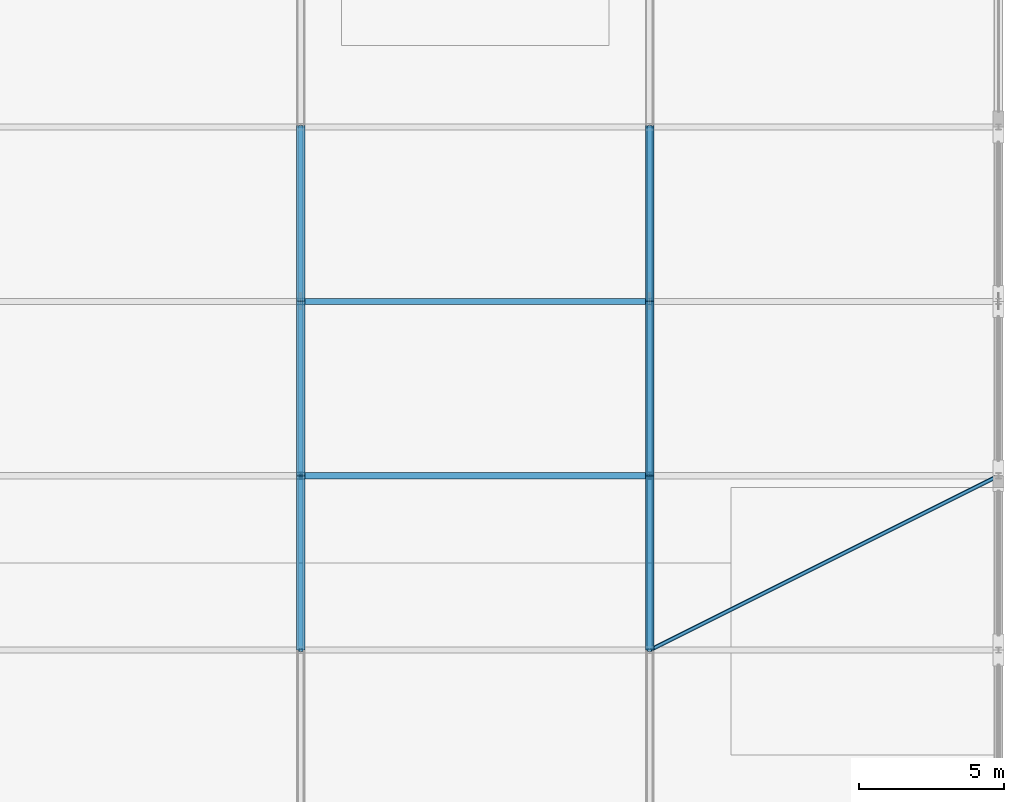
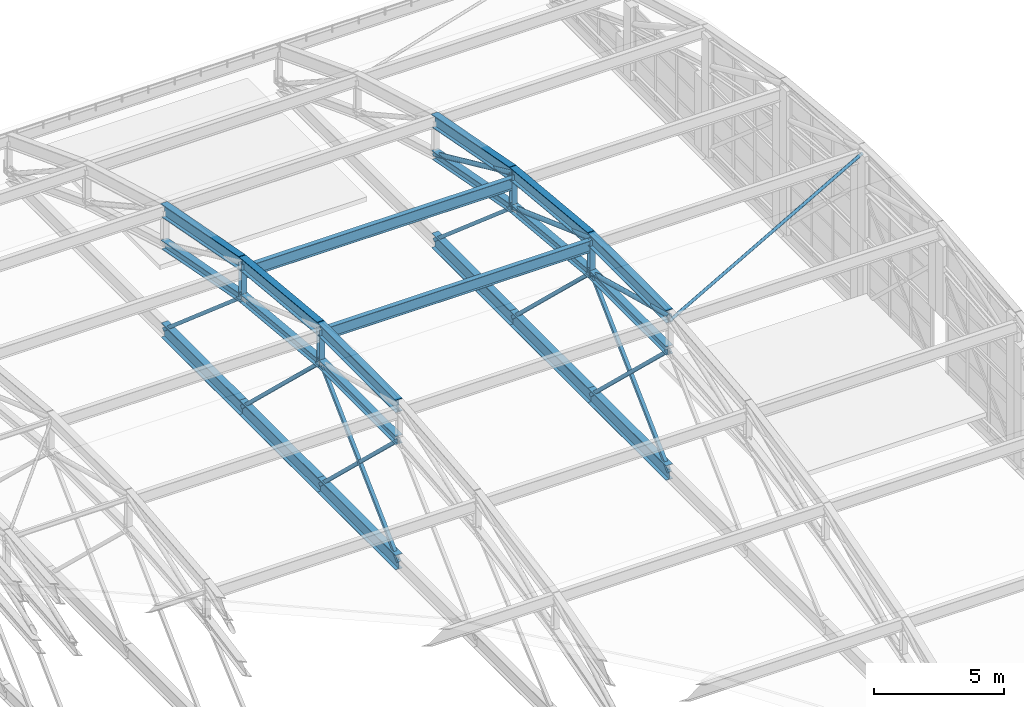
# One storey, part 135 of 204: 36 members.
"""IFC4 building model written with IfcOpenShell, lengths in metres."""

from ifc_helpers import new_model, si_unit, direction, frame, origin, origin_2d, place, context, subcontext, project, spatial, hollow_rectangle, hollow_circle, i_section, extrude, material, material_profile, profile_set, type_object, element, save


model = new_model("IFC4")

# Units and contexts
model_context = context("Model", 3, precision=1e-05, world=origin(), true_north=direction((0.0, 1.0)))
body_context = subcontext(model_context, "Body", "Model", "MODEL_VIEW")
ifc_project = project(units=[si_unit("LENGTHUNIT", "METRE"), si_unit("AREAUNIT", "SQUARE_METRE"), si_unit("VOLUMEUNIT", "CUBIC_METRE"), si_unit("PLANEANGLEUNIT", "RADIAN"), si_unit("MASSUNIT", "GRAM", prefix="KILO")], contexts=[model_context])

# Site, building, storey
site_placement = place(None, origin())
site = spatial("IfcSite", under=ifc_project, at=site_placement, CompositionType="ELEMENT")
building_placement = place(site_placement, origin())
building = spatial("IfcBuilding", under=site, at=building_placement, Name="Zilviju Railside Exhibition Hall", CompositionType="ELEMENT")
storey_placement = place(building_placement, frame((0.0, 0.0, 21.0)))
storey = spatial("IfcBuildingStorey", under=building, at=storey_placement, Name="RF", CompositionType="ELEMENT", Elevation=21.0)

# Members
ifc_material = material(Name="Steel S355J2", Category="steel")
ifc_material_profile_1 = material_profile(ifc_material, hollow_circle(Radius=0.06982421875, WallThickness=0.00634765625, at=origin_2d()), Name="CHS 139.7x6.3")
ifc_profile_set_1 = profile_set([ifc_material_profile_1], Name="Steel S355J2")
member_type_1 = type_object("IfcMemberType", Name="TR-BR-CHS139", PredefinedType="BRACE", material=ifc_profile_set_1)
member_1_placement = place(storey_placement, frame((204.0, 108.0, 3.50341796875), z_axis=(0.894427191, 0.4472135955, 0.0), x_axis=(-0.4472135955, 0.894427191, 0.0)))
element("IfcMember", 1, at=member_1_placement, inside=storey, type_object=member_type_1, Name="V2 Roof Wind Brace (204.0..216.0)", PredefinedType="BRACE", context=body_context, shape_type="SweptSolid", body=[
    extrude(hollow_circle(Radius=0.06982421875, WallThickness=0.00634765625, at=origin_2d()), origin(), (0.0, 0.0, 1.0), 13.41650390625),
])
ifc_material_profile_2 = material_profile(ifc_material, hollow_circle(Radius=0.109619140625, WallThickness=0.010009765625, at=origin_2d()), Name="CHS 219.1x10.0")
ifc_profile_set_2 = profile_set([ifc_material_profile_2], Name="Steel S355J2")
member_type_2 = type_object("IfcMemberType", Name="TR-BR-CHS219", PredefinedType="BRACE", material=ifc_profile_set_2)
member_2_placement = place(storey_placement, frame((204.0, 108.0, 3.728515625), z_axis=(0.0, 0.966231024199, -0.25767733287), x_axis=(-1.0, 0.0, 0.0)))
element("IfcMember", 2, at=member_2_placement, inside=storey, type_object=member_type_2, Name="V2 Parabolic Arch Web Diagonal X=204.0 P5", PredefinedType="BRACE", context=body_context, shape_type="SweptSolid", body=[
    extrude(hollow_circle(Radius=0.109619140625, WallThickness=0.010009765625, at=origin_2d()), origin(), (0.0, 0.0, 1.0), 6.209716796875),
])
member_3_placement = place(storey_placement, frame((204.0, 114.0, 3.728515625), z_axis=(0.0, 0.940243888255, -0.340501733621), x_axis=(-1.0, 0.0, 0.0)))
element("IfcMember", 3, at=member_3_placement, inside=storey, type_object=member_type_2, Name="V2 Parabolic Arch Web Diagonal X=204.0 P6", PredefinedType="BRACE", context=body_context, shape_type="SweptSolid", body=[
    extrude(hollow_circle(Radius=0.109619140625, WallThickness=0.010009765625, at=origin_2d()), origin(), (0.0, 0.0, 1.0), 6.38134765625),
])
member_4_placement = place(storey_placement, frame((204.0, 120.0, 3.155517578125), z_axis=(0.0, 0.909316915895, -0.416104249518), x_axis=(-1.0, 0.0, 0.0)))
element("IfcMember", 4, at=member_4_placement, inside=storey, type_object=member_type_2, Name="V2 Parabolic Arch Web Diagonal X=204.0 P7", PredefinedType="BRACE", context=body_context, shape_type="SweptSolid", body=[
    extrude(hollow_circle(Radius=0.109619140625, WallThickness=0.010009765625, at=origin_2d()), origin(), (0.0, 0.0, 1.0), 6.598388671875),
])
ifc_material_profile_3 = material_profile(ifc_material, i_section(OverallWidth=0.300048828125, OverallDepth=0.39990234375, WebThickness=0.013427734375, FlangeThickness=0.02392578125, at=origin_2d()), Name="HEB 400")
ifc_profile_set_3 = profile_set([ifc_material_profile_3], Name="Steel S355J2")
member_type_3 = type_object("IfcMemberType", Name="TR-CH-HEB400", PredefinedType="CHORD", material=ifc_profile_set_3)
member_5_placement = place(storey_placement, frame((192.0, 108.0, 2.12841796875), z_axis=(0.0, 1.0, 0.0), x_axis=(-1.0, 0.0, 0.0)))
element("IfcMember", 5, at=member_5_placement, inside=storey, type_object=member_type_3, Name="V2 Parabolic Arch Bottom Chord X=192.0 P5", PredefinedType="CHORD", context=body_context, shape_type="SweptSolid", body=[
    extrude(i_section(OverallWidth=0.300048828125, OverallDepth=0.39990234375, WebThickness=0.013427734375, FlangeThickness=0.02392578125, at=origin_2d()), origin(), (0.0, 0.0, 1.0), 6.0),
])
member_6_placement = place(storey_placement, frame((192.0, 114.0, 2.12841796875), z_axis=(0.0, 0.995474695123, -0.095027003367), x_axis=(-1.0, 0.0, 0.0)))
element("IfcMember", 6, at=member_6_placement, inside=storey, type_object=member_type_3, Name="V2 Parabolic Arch Bottom Chord X=192.0 P6", PredefinedType="CHORD", context=body_context, shape_type="SweptSolid", body=[
    extrude(i_section(OverallWidth=0.300048828125, OverallDepth=0.39990234375, WebThickness=0.013427734375, FlangeThickness=0.02392578125, at=origin_2d()), origin(), (0.0, 0.0, 1.0), 6.02734375),
])
member_7_placement = place(storey_placement, frame((192.0, 120.0, 1.5556640625), z_axis=(0.0, 0.98225135267, -0.187569400964), x_axis=(-1.0, 0.0, 0.0)))
element("IfcMember", 7, at=member_7_placement, inside=storey, type_object=member_type_3, Name="V2 Parabolic Arch Bottom Chord X=192.0 P7", PredefinedType="CHORD", context=body_context, shape_type="SweptSolid", body=[
    extrude(i_section(OverallWidth=0.300048828125, OverallDepth=0.39990234375, WebThickness=0.013427734375, FlangeThickness=0.02392578125, at=origin_2d()), origin(), (0.0, 0.0, 1.0), 6.1083984375),
])
member_8_placement = place(storey_placement, frame((204.0, 108.0, 2.12841796875), z_axis=(0.0, 1.0, 0.0), x_axis=(-1.0, 0.0, 0.0)))
element("IfcMember", 8, at=member_8_placement, inside=storey, type_object=member_type_3, Name="V2 Parabolic Arch Bottom Chord X=204.0 P5", PredefinedType="CHORD", context=body_context, shape_type="SweptSolid", body=[
    extrude(i_section(OverallWidth=0.300048828125, OverallDepth=0.39990234375, WebThickness=0.013427734375, FlangeThickness=0.02392578125, at=origin_2d()), origin(), (0.0, 0.0, 1.0), 6.0),
])
member_9_placement = place(storey_placement, frame((204.0, 114.0, 2.12841796875), z_axis=(0.0, 0.995474695123, -0.095027003367), x_axis=(-1.0, 0.0, 0.0)))
element("IfcMember", 9, at=member_9_placement, inside=storey, type_object=member_type_3, Name="V2 Parabolic Arch Bottom Chord X=204.0 P6", PredefinedType="CHORD", context=body_context, shape_type="SweptSolid", body=[
    extrude(i_section(OverallWidth=0.300048828125, OverallDepth=0.39990234375, WebThickness=0.013427734375, FlangeThickness=0.02392578125, at=origin_2d()), origin(), (0.0, 0.0, 1.0), 6.02734375),
])
member_10_placement = place(storey_placement, frame((204.0, 120.0, 1.5556640625), z_axis=(0.0, 0.98225135267, -0.187569400964), x_axis=(-1.0, 0.0, 0.0)))
element("IfcMember", 10, at=member_10_placement, inside=storey, type_object=member_type_3, Name="V2 Parabolic Arch Bottom Chord X=204.0 P7", PredefinedType="CHORD", context=body_context, shape_type="SweptSolid", body=[
    extrude(i_section(OverallWidth=0.300048828125, OverallDepth=0.39990234375, WebThickness=0.013427734375, FlangeThickness=0.02392578125, at=origin_2d()), origin(), (0.0, 0.0, 1.0), 6.1083984375),
])
ifc_material_profile_4 = material_profile(ifc_material, i_section(OverallWidth=0.300048828125, OverallDepth=0.60009765625, WebThickness=0.015380859375, FlangeThickness=0.030029296875, at=origin_2d()), Name="HEB 600")
ifc_profile_set_4 = profile_set([ifc_material_profile_4], Name="Steel S355J2")
member_type_4 = type_object("IfcMemberType", Name="TR-CH-HEB600", PredefinedType="CHORD", material=ifc_profile_set_4)
member_11_placement = place(storey_placement, frame((192.0, 108.0, 3.728515625), z_axis=(0.0, 1.0, 0.0), x_axis=(-1.0, 0.0, 0.0)))
element("IfcMember", 11, at=member_11_placement, inside=storey, type_object=member_type_4, Name="V2 Parabolic Arch Top Chord X=192.0 P5", PredefinedType="CHORD", context=body_context, shape_type="SweptSolid", body=[
    extrude(i_section(OverallWidth=0.300048828125, OverallDepth=0.60009765625, WebThickness=0.015380859375, FlangeThickness=0.030029296875, at=origin_2d()), origin(), (0.0, 0.0, 1.0), 6.0),
])
member_12_placement = place(storey_placement, frame((192.0, 114.0, 3.728515625), z_axis=(0.0, 0.995470862587, -0.095067143331), x_axis=(-1.0, 0.0, 0.0)))
element("IfcMember", 12, at=member_12_placement, inside=storey, type_object=member_type_4, Name="V2 Parabolic Arch Top Chord X=192.0 P6", PredefinedType="CHORD", context=body_context, shape_type="SweptSolid", body=[
    extrude(i_section(OverallWidth=0.300048828125, OverallDepth=0.60009765625, WebThickness=0.015380859375, FlangeThickness=0.030029296875, at=origin_2d()), origin(), (0.0, 0.0, 1.0), 6.02734375),
])
member_13_placement = place(storey_placement, frame((192.0, 120.0, 3.155517578125), z_axis=(0.0, 0.98225135267, -0.187569400964), x_axis=(-1.0, 0.0, 0.0)))
element("IfcMember", 13, at=member_13_placement, inside=storey, type_object=member_type_4, Name="V2 Parabolic Arch Top Chord X=192.0 P7", PredefinedType="CHORD", context=body_context, shape_type="SweptSolid", body=[
    extrude(i_section(OverallWidth=0.300048828125, OverallDepth=0.60009765625, WebThickness=0.015380859375, FlangeThickness=0.030029296875, at=origin_2d()), origin(), (0.0, 0.0, 1.0), 6.1083984375),
])
member_14_placement = place(storey_placement, frame((204.0, 108.0, 3.728515625), z_axis=(0.0, 1.0, 0.0), x_axis=(-1.0, 0.0, 0.0)))
element("IfcMember", 14, at=member_14_placement, inside=storey, type_object=member_type_4, Name="V2 Parabolic Arch Top Chord X=204.0 P5", PredefinedType="CHORD", context=body_context, shape_type="SweptSolid", body=[
    extrude(i_section(OverallWidth=0.300048828125, OverallDepth=0.60009765625, WebThickness=0.015380859375, FlangeThickness=0.030029296875, at=origin_2d()), origin(), (0.0, 0.0, 1.0), 6.0),
])
member_15_placement = place(storey_placement, frame((204.0, 114.0, 3.728515625), z_axis=(0.0, 0.995470862587, -0.095067143331), x_axis=(-1.0, 0.0, 0.0)))
element("IfcMember", 15, at=member_15_placement, inside=storey, type_object=member_type_4, Name="V2 Parabolic Arch Top Chord X=204.0 P6", PredefinedType="CHORD", context=body_context, shape_type="SweptSolid", body=[
    extrude(i_section(OverallWidth=0.300048828125, OverallDepth=0.60009765625, WebThickness=0.015380859375, FlangeThickness=0.030029296875, at=origin_2d()), origin(), (0.0, 0.0, 1.0), 6.02734375),
])
member_16_placement = place(storey_placement, frame((204.0, 120.0, 3.155517578125), z_axis=(0.0, 0.98225135267, -0.187569400964), x_axis=(-1.0, 0.0, 0.0)))
element("IfcMember", 16, at=member_16_placement, inside=storey, type_object=member_type_4, Name="V2 Parabolic Arch Top Chord X=204.0 P7", PredefinedType="CHORD", context=body_context, shape_type="SweptSolid", body=[
    extrude(i_section(OverallWidth=0.300048828125, OverallDepth=0.60009765625, WebThickness=0.015380859375, FlangeThickness=0.030029296875, at=origin_2d()), origin(), (0.0, 0.0, 1.0), 6.1083984375),
])
ifc_material_profile_5 = material_profile(ifc_material, i_section(OverallWidth=0.239990234375, OverallDepth=0.22998046875, WebThickness=0.007568359375, FlangeThickness=0.011962890625, at=origin_2d()), Name="HEA 240")
ifc_profile_set_5 = profile_set([ifc_material_profile_5], Name="Steel S355J2")
member_type_5 = type_object("IfcMemberType", Name="TR-POST-HEA240", PredefinedType="POST", material=ifc_profile_set_5)
member_17_placement = place(storey_placement, frame((192.0, 114.0, 2.12841796875), z_axis=(0.0, 0.0, 1.0), x_axis=(1.0, 0.0, 0.0)))
element("IfcMember", 17, at=member_17_placement, inside=storey, type_object=member_type_5, Name="V2 Parabolic Arch Web Post X=192.0 N5", PredefinedType="POST", context=body_context, shape_type="SweptSolid", body=[
    extrude(i_section(OverallWidth=0.239990234375, OverallDepth=0.22998046875, WebThickness=0.007568359375, FlangeThickness=0.011962890625, at=origin_2d()), origin(), (0.0, 0.0, 1.0), 1.60009765625),
])
member_18_placement = place(storey_placement, frame((192.0, 120.0, 1.5556640625), z_axis=(0.0, 0.0, 1.0), x_axis=(1.0, 0.0, 0.0)))
element("IfcMember", 18, at=member_18_placement, inside=storey, type_object=member_type_5, Name="V2 Parabolic Arch Web Post X=192.0 N6", PredefinedType="POST", context=body_context, shape_type="SweptSolid", body=[
    extrude(i_section(OverallWidth=0.239990234375, OverallDepth=0.22998046875, WebThickness=0.007568359375, FlangeThickness=0.011962890625, at=origin_2d()), origin(), (0.0, 0.0, 1.0), 1.599853515625),
])
member_19_placement = place(storey_placement, frame((204.0, 114.0, 2.12841796875), z_axis=(0.0, 0.0, 1.0), x_axis=(1.0, 0.0, 0.0)))
element("IfcMember", 19, at=member_19_placement, inside=storey, type_object=member_type_5, Name="V2 Parabolic Arch Web Post X=204.0 N5", PredefinedType="POST", context=body_context, shape_type="SweptSolid", body=[
    extrude(i_section(OverallWidth=0.239990234375, OverallDepth=0.22998046875, WebThickness=0.007568359375, FlangeThickness=0.011962890625, at=origin_2d()), origin(), (0.0, 0.0, 1.0), 1.60009765625),
])
member_20_placement = place(storey_placement, frame((204.0, 120.0, 1.5556640625), z_axis=(0.0, 0.0, 1.0), x_axis=(1.0, 0.0, 0.0)))
element("IfcMember", 20, at=member_20_placement, inside=storey, type_object=member_type_5, Name="V2 Parabolic Arch Web Post X=204.0 N6", PredefinedType="POST", context=body_context, shape_type="SweptSolid", body=[
    extrude(i_section(OverallWidth=0.239990234375, OverallDepth=0.22998046875, WebThickness=0.007568359375, FlangeThickness=0.011962890625, at=origin_2d()), origin(), (0.0, 0.0, 1.0), 1.599853515625),
])
ifc_material_profile_6 = material_profile(ifc_material, hollow_rectangle(XDim=0.14990234375, YDim=0.14990234375, WallThickness=0.008056640625, at=origin_2d()), Name="SHS 150x150x8.0")
ifc_profile_set_6 = profile_set([ifc_material_profile_6], Name="Steel S355J2")
member_type_6 = type_object("IfcMemberType", Name="TR-POST-SHS150", PredefinedType="POST", material=ifc_profile_set_6)
for number, where, z_axis, x_axis, name in (
    (21, (192.0, 108.0, -3.60009765625), (0.0, 0.723280707221, 0.690554138763), (-1.0, 0.0, 0.0), "V2 Arch Tie Hanger X=192.0 N4"),
    (22, (192.0, 114.0, -3.60009765625), (0.0, -0.723280707221, 0.690554138763), (1.0, 0.0, 0.0), "V2 Arch Tie Hanger X=192.0 N5"),
    (23, (192.0, 120.0, -3.60009765625), (0.0, -0.723280707221, 0.690554138763), (1.0, 0.0, 0.0), "V2 Arch Tie Hanger X=192.0 N6"),
):
    element("IfcMember", number, at=place(storey_placement, frame(where, z_axis=z_axis, x_axis=x_axis)), inside=storey, type_object=member_type_6, Name=name, PredefinedType="POST", context=body_context, shape_type="SweptSolid", body=[
        extrude(hollow_rectangle(XDim=0.14990234375, YDim=0.14990234375, WallThickness=0.008056640625, at=origin_2d()), origin(), (0.0, 0.0, 1.0), 8.295654296875),
    ])
member_21_placement = place(storey_placement, frame((192.0, 126.0, -3.60009765625), z_axis=(0.0, -0.758449992634, 0.651731239602), x_axis=(1.0, 0.0, 0.0)))
element("IfcMember", 24, at=member_21_placement, inside=storey, type_object=member_type_6, Name="V2 Arch Tie Hanger X=192.0 N7", PredefinedType="POST", context=body_context, shape_type="SweptSolid", body=[
    extrude(hollow_rectangle(XDim=0.14990234375, YDim=0.14990234375, WallThickness=0.008056640625, at=origin_2d()), origin(), (0.0, 0.0, 1.0), 7.910888671875),
])
for number, where, z_axis, x_axis, name in (
    (25, (204.0, 108.0, -3.60009765625), (0.0, 0.723280707221, 0.690554138763), (-1.0, 0.0, 0.0), "V2 Arch Tie Hanger X=204.0 N4"),
    (26, (204.0, 114.0, -3.60009765625), (0.0, -0.723280707221, 0.690554138763), (1.0, 0.0, 0.0), "V2 Arch Tie Hanger X=204.0 N5"),
    (27, (204.0, 120.0, -3.60009765625), (0.0, -0.723280707221, 0.690554138763), (1.0, 0.0, 0.0), "V2 Arch Tie Hanger X=204.0 N6"),
):
    element("IfcMember", number, at=place(storey_placement, frame(where, z_axis=z_axis, x_axis=x_axis)), inside=storey, type_object=member_type_6, Name=name, PredefinedType="POST", context=body_context, shape_type="SweptSolid", body=[
        extrude(hollow_rectangle(XDim=0.14990234375, YDim=0.14990234375, WallThickness=0.008056640625, at=origin_2d()), origin(), (0.0, 0.0, 1.0), 8.295654296875),
    ])
member_22_placement = place(storey_placement, frame((204.0, 126.0, -3.60009765625), z_axis=(0.0, -0.758449992634, 0.651731239602), x_axis=(1.0, 0.0, 0.0)))
element("IfcMember", 28, at=member_22_placement, inside=storey, type_object=member_type_6, Name="V2 Arch Tie Hanger X=204.0 N7", PredefinedType="POST", context=body_context, shape_type="SweptSolid", body=[
    extrude(hollow_rectangle(XDim=0.14990234375, YDim=0.14990234375, WallThickness=0.008056640625, at=origin_2d()), origin(), (0.0, 0.0, 1.0), 7.910888671875),
])
ifc_material_profile_7 = material_profile(ifc_material, i_section(OverallWidth=0.2099609375, OverallDepth=0.550048828125, WebThickness=0.010986328125, FlangeThickness=0.01708984375, at=origin_2d()), Name="IPE 550")
ifc_profile_set_7 = profile_set([ifc_material_profile_7], Name="Steel S355J2")
member_type_7 = type_object("IfcMemberType", Name="TR-PUR-IPE550", PredefinedType="PURLIN", material=ifc_profile_set_7)
for number, where, z_axis, x_axis, name in (
    (29, (192.0, 114.0, 3.4326171875), (1.0, 0.0, 0.0), (0.0, 1.0, 0.0), "V2 Barrel Vault Roof Purlin Y=114.0 (192.0..204.0)"),
    (30, (192.0, 120.0, 2.716796875), (1.0, 0.0, 0.0), (0.0, 1.0, 0.0), "V2 Barrel Vault Roof Purlin Y=120.0 (192.0..204.0)"),
):
    element("IfcMember", number, at=place(storey_placement, frame(where, z_axis=z_axis, x_axis=x_axis)), inside=storey, type_object=member_type_7, Name=name, PredefinedType="PURLIN", context=body_context, shape_type="SweptSolid", body=[
        extrude(i_section(OverallWidth=0.2099609375, OverallDepth=0.550048828125, WebThickness=0.010986328125, FlangeThickness=0.01708984375, at=origin_2d()), origin(), (0.0, 0.0, 1.0), 12.0),
    ])
ifc_material_profile_8 = material_profile(ifc_material, i_section(OverallWidth=0.300048828125, OverallDepth=0.699951171875, WebThickness=0.01708984375, FlangeThickness=0.031982421875, at=origin_2d()), Name="HEB 700")
ifc_profile_set_8 = profile_set([ifc_material_profile_8], Name="Steel S355J2")
member_type_8 = type_object("IfcMemberType", Name="TR-TIE-HEB700", PredefinedType="CHORD", material=ifc_profile_set_8)
for number, where, z_axis, x_axis, name in (
    (31, (192.0, 108.0, -3.60009765625), (0.0, 1.0, 0.0), (-1.0, 0.0, 0.0), "V2 Arch Tie Member X=192.0"),
    (32, (192.0, 114.0, -3.60009765625), (0.0, 1.0, 0.0), (-1.0, 0.0, 0.0), "V2 Arch Tie Member X=192.0"),
    (33, (192.0, 120.0, -3.60009765625), (0.0, 1.0, 0.0), (-1.0, 0.0, 0.0), "V2 Arch Tie Member X=192.0"),
    (34, (204.0, 108.0, -3.60009765625), (0.0, 1.0, 0.0), (-1.0, 0.0, 0.0), "V2 Arch Tie Member X=204.0"),
    (35, (204.0, 114.0, -3.60009765625), (0.0, 1.0, 0.0), (-1.0, 0.0, 0.0), "V2 Arch Tie Member X=204.0"),
    (36, (204.0, 120.0, -3.60009765625), (0.0, 1.0, 0.0), (-1.0, 0.0, 0.0), "V2 Arch Tie Member X=204.0"),
):
    element("IfcMember", number, at=place(storey_placement, frame(where, z_axis=z_axis, x_axis=x_axis)), inside=storey, type_object=member_type_8, Name=name, PredefinedType="CHORD", context=body_context, shape_type="SweptSolid", body=[
        extrude(i_section(OverallWidth=0.300048828125, OverallDepth=0.699951171875, WebThickness=0.01708984375, FlangeThickness=0.031982421875, at=origin_2d()), origin(), (0.0, 0.0, 1.0), 6.0),
    ])

save(model, "model.ifc")
